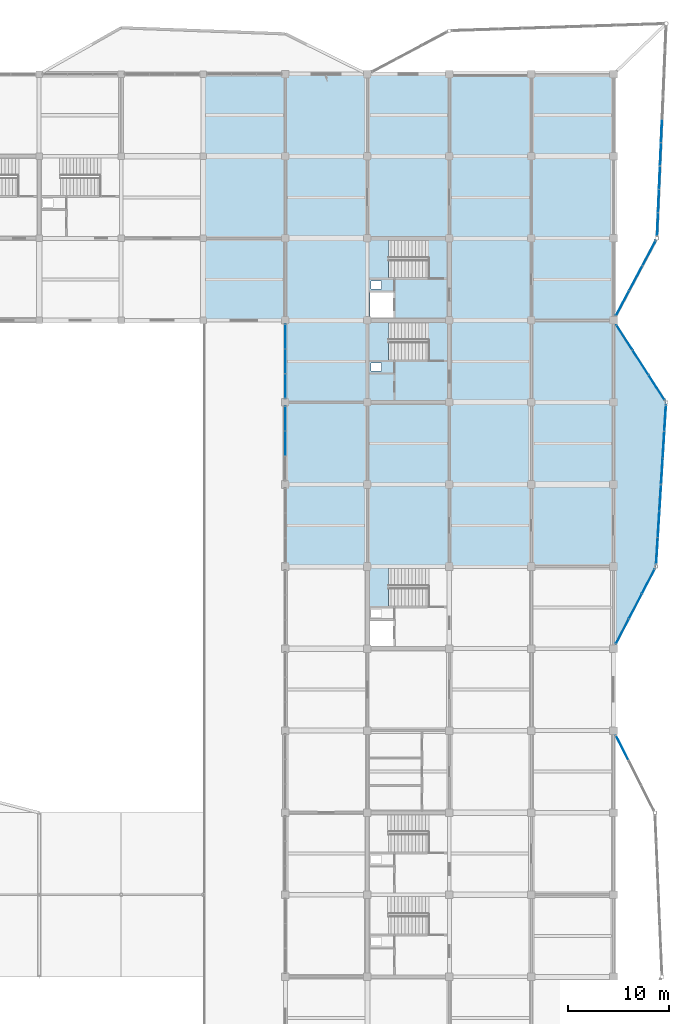
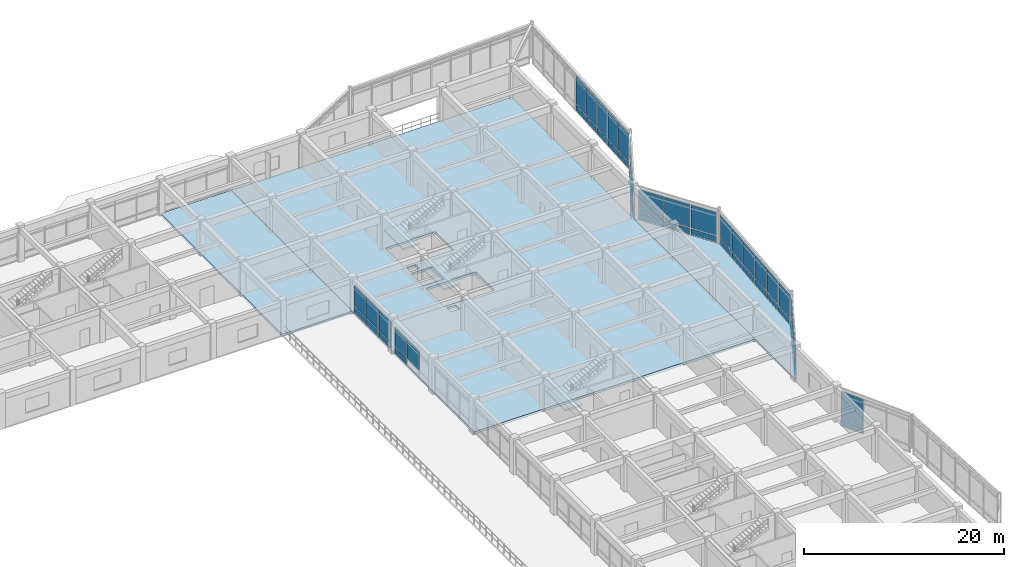
# One storey, part 42 of 70: 51 plates, 6 slabs, 13 elements without a shape of their own.
"""IFC4 building model written with IfcOpenShell, lengths in metres."""

from ifc_helpers import new_model, si_unit, direction, frame, origin, origin_2d, place, context, subcontext, project, spatial, polyline, rectangle, outline, extrude, material, layer, layer_set, type_object, element, aggregate, save


model = new_model("IFC4")

# Units and contexts
model_context = context("Model", 3, precision=1e-05, world=origin(), true_north=direction((0.0, 1.0)))
body_context = subcontext(model_context, "Body", "Model", "MODEL_VIEW")
ifc_project = project(units=[si_unit("LENGTHUNIT", "METRE"), si_unit("AREAUNIT", "SQUARE_METRE"), si_unit("VOLUMEUNIT", "CUBIC_METRE"), si_unit("PLANEANGLEUNIT", "RADIAN"), si_unit("MASSUNIT", "GRAM", prefix="KILO")], contexts=[model_context])

# Site, building, storey
site_placement = place(None, origin())
site = spatial("IfcSite", under=ifc_project, at=site_placement, CompositionType="ELEMENT")
building_placement = place(site_placement, origin())
building = spatial("IfcBuilding", under=site, at=building_placement, Name="Vaudrelin Polytechnic", CompositionType="ELEMENT")
storey_placement = place(building_placement, frame((0.0, 0.0, 14.110107421875)))
storey = spatial("IfcBuildingStorey", under=building, at=storey_placement, Name="L03", CompositionType="ELEMENT", Elevation=14.110107421875)

# Curtain wall, plate
ifc_material_1 = material(Name="Thermally broken anodised aluminium AA 6063-T6 and low-e triple glazing", Category="aluminium")
ifc_layer_1 = layer(ifc_material_1, 0.199951171875)
ifc_layer_set_1 = layer_set([ifc_layer_1], Name="Thermally broken anodised aluminium AA 6063-T6 and low-e triple glazing")
curtain_wall_type = type_object("IfcCurtainWallType", Name="CW-CW-LAB", PredefinedType="USERDEFINED", material=ifc_layer_set_1)
curtain_wall_1_placement = place(storey_placement, origin())
curtain_wall_1 = element("IfcCurtainWall", 1, at=curtain_wall_1_placement, inside=storey, type_object=curtain_wall_type, Name="Curtain wall L03 W_V4_08", ObjectType="CURTAIN WALL", PredefinedType="USERDEFINED")
ifc_material_2 = material(Name="Insulated ceramic-frit spandrel glass panel", Category="glass")
ifc_layer_2 = layer(ifc_material_2, 0.052001953125)
ifc_layer_set_2 = layer_set([ifc_layer_2], Name="Insulated ceramic-frit spandrel glass panel")
plate_type_1 = type_object("IfcPlateType", Name="PLT-GLZ-SPAND", PredefinedType="CURTAIN_PANEL", material=ifc_layer_set_2)
plate_1_placement = place(storey_placement, frame((137.699951171875, 87.501220703125, 0.08984375), z_axis=(0.0, 0.0, 1.0), x_axis=(0.0, 1.0, 0.0)))
plate_1 = element("IfcPlate", 2, at=plate_1_placement, type_object=plate_type_1, Name="W_V4_08 spandrel panel 3", PredefinedType="CURTAIN_PANEL", context=body_context, shape_type="SweptSolid", body=[
    extrude(rectangle(XDim=2.351318359375, YDim=0.052001953125, at=origin_2d()), origin(), (0.0, 0.0, 1.0), 0.699951171875),
])

# Curtain wall, plates
curtain_wall_2_placement = place(storey_placement, origin())
curtain_wall_2 = element("IfcCurtainWall", 3, at=curtain_wall_2_placement, inside=storey, type_object=curtain_wall_type, Name="Curtain wall L03 W_V4_09", ObjectType="CURTAIN WALL", PredefinedType="USERDEFINED")
plate_2_placement = place(storey_placement, frame((137.699951171875, 90.69873046875, 0.08984375), z_axis=(0.0, 0.0, 1.0), x_axis=(0.0, 1.0, 0.0)))
plate_2 = element("IfcPlate", 4, at=plate_2_placement, type_object=plate_type_1, Name="W_V4_09 spandrel panel 1", PredefinedType="CURTAIN_PANEL", context=body_context, shape_type="SweptSolid", body=[
    extrude(rectangle(XDim=2.351318359375, YDim=0.052001953125, at=origin_2d()), origin(), (0.0, 0.0, 1.0), 0.699951171875),
])
plate_3_placement = place(storey_placement, frame((137.699951171875, 93.14990234375, 0.08984375), z_axis=(0.0, 0.0, 1.0), x_axis=(0.0, 1.0, 0.0)))
plate_3 = element("IfcPlate", 5, at=plate_3_placement, type_object=plate_type_1, Name="W_V4_09 spandrel panel 2", PredefinedType="CURTAIN_PANEL", context=body_context, shape_type="SweptSolid", body=[
    extrude(rectangle(XDim=2.351318359375, YDim=0.052001953125, at=origin_2d()), origin(), (0.0, 0.0, 1.0), 0.699951171875),
])
plate_4_placement = place(storey_placement, frame((137.699951171875, 95.601318359375, 0.08984375), z_axis=(0.0, 0.0, 1.0), x_axis=(0.0, 1.0, 0.0)))
plate_4 = element("IfcPlate", 6, at=plate_4_placement, type_object=plate_type_1, Name="W_V4_09 spandrel panel 3", PredefinedType="CURTAIN_PANEL", context=body_context, shape_type="SweptSolid", body=[
    extrude(rectangle(XDim=2.351318359375, YDim=0.052001953125, at=origin_2d()), origin(), (0.0, 0.0, 1.0), 0.699951171875),
])

curtain_wall_3_placement = place(storey_placement, origin())
curtain_wall_3 = element("IfcCurtainWall", 7, at=curtain_wall_3_placement, inside=storey, type_object=curtain_wall_type, Name="Curtain wall L03 NEP_3_1", ObjectType="CURTAIN WALL", PredefinedType="USERDEFINED")
plate_5_placement = place(storey_placement, frame((174.84912109375, 115.874755859375, -0.5400390625), z_axis=(0.0, 0.0, 1.0), x_axis=(-0.042405411318, -0.999100485983, 0.0)))
plate_5 = element("IfcPlate", 8, at=plate_5_placement, type_object=plate_type_1, Name="NEP_3_1 spandrel panel 2", PredefinedType="CURTAIN_PANEL", context=body_context, shape_type="SweptSolid", body=[
    extrude(rectangle(XDim=2.19921875, YDim=0.052001953125, at=origin_2d()), origin(), (0.0, 0.0, 1.0), 0.699951171875),
])
plate_6_placement = place(storey_placement, frame((174.75146484375, 113.577392578125, -0.5400390625), z_axis=(0.0, 0.0, 1.0), x_axis=(-0.042405411318, -0.999100485983, 0.0)))
plate_6 = element("IfcPlate", 9, at=plate_6_placement, type_object=plate_type_1, Name="NEP_3_1 spandrel panel 3", PredefinedType="CURTAIN_PANEL", context=body_context, shape_type="SweptSolid", body=[
    extrude(rectangle(XDim=2.19921875, YDim=0.052001953125, at=origin_2d()), origin(), (0.0, 0.0, 1.0), 0.699951171875),
])

curtain_wall_4_placement = place(storey_placement, origin())
curtain_wall_4 = element("IfcCurtainWall", 10, at=curtain_wall_4_placement, inside=storey, type_object=curtain_wall_type, Name="Curtain wall L03 NEP_3_2", ObjectType="CURTAIN WALL", PredefinedType="USERDEFINED")
plate_7_placement = place(storey_placement, frame((174.65380859375, 111.2802734375, -0.5400390625), z_axis=(0.0, 0.0, 1.0), x_axis=(-0.042419882824, -0.999099871655, 0.0)))
plate_7 = element("IfcPlate", 11, at=plate_7_placement, type_object=plate_type_1, Name="NEP_3_2 spandrel panel 1", PredefinedType="CURTAIN_PANEL", context=body_context, shape_type="SweptSolid", body=[
    extrude(rectangle(XDim=2.19921875, YDim=0.052001953125, at=origin_2d()), origin(), (0.0, 0.0, 1.0), 0.699951171875),
])
plate_8_placement = place(storey_placement, frame((174.556396484375, 108.983154296875, -0.5400390625), z_axis=(0.0, 0.0, 1.0), x_axis=(-0.042419882824, -0.999099871655, 0.0)))
plate_8 = element("IfcPlate", 12, at=plate_8_placement, type_object=plate_type_1, Name="NEP_3_2 spandrel panel 2", PredefinedType="CURTAIN_PANEL", context=body_context, shape_type="SweptSolid", body=[
    extrude(rectangle(XDim=2.19921875, YDim=0.052001953125, at=origin_2d()), origin(), (0.0, 0.0, 1.0), 0.699951171875),
])
plate_9_placement = place(storey_placement, frame((174.458984375, 106.68603515625, -0.5400390625), z_axis=(0.0, 0.0, 1.0), x_axis=(-0.042419882824, -0.999099871655, 0.0)))
plate_9 = element("IfcPlate", 13, at=plate_9_placement, type_object=plate_type_1, Name="NEP_3_2 spandrel panel 3", PredefinedType="CURTAIN_PANEL", context=body_context, shape_type="SweptSolid", body=[
    extrude(rectangle(XDim=2.19921875, YDim=0.052001953125, at=origin_2d()), origin(), (0.0, 0.0, 1.0), 0.699951171875),
])

curtain_wall_5_placement = place(storey_placement, origin())
curtain_wall_5 = element("IfcCurtainWall", 14, at=curtain_wall_5_placement, inside=storey, type_object=curtain_wall_type, Name="Curtain wall L03 NEP_4_0", ObjectType="CURTAIN WALL", PredefinedType="USERDEFINED")
plate_10_placement = place(storey_placement, frame((173.62255859375, 103.83544921875, -0.5400390625), z_axis=(0.0, 0.0, 1.0), x_axis=(-0.468895635288, -0.88325357809, 0.0)))
plate_10 = element("IfcPlate", 15, at=plate_10_placement, type_object=plate_type_1, Name="NEP_4_0 spandrel panel 1", PredefinedType="CURTAIN_PANEL", context=body_context, shape_type="SweptSolid", body=[
    extrude(rectangle(XDim=2.701171875, YDim=0.052001953125, at=origin_2d()), origin(), (0.0, 0.0, 1.0), 0.699951171875),
])
plate_11_placement = place(storey_placement, frame((172.30908203125, 101.361083984375, -0.5400390625), z_axis=(0.0, 0.0, 1.0), x_axis=(-0.468895635288, -0.88325357809, 0.0)))
plate_11 = element("IfcPlate", 16, at=plate_11_placement, type_object=plate_type_1, Name="NEP_4_0 spandrel panel 2", PredefinedType="CURTAIN_PANEL", context=body_context, shape_type="SweptSolid", body=[
    extrude(rectangle(XDim=2.701171875, YDim=0.052001953125, at=origin_2d()), origin(), (0.0, 0.0, 1.0), 0.699951171875),
])
plate_12_placement = place(storey_placement, frame((170.99560546875, 98.88720703125, -0.5400390625), z_axis=(0.0, 0.0, 1.0), x_axis=(-0.468895635288, -0.88325357809, 0.0)))
plate_12 = element("IfcPlate", 17, at=plate_12_placement, type_object=plate_type_1, Name="NEP_4_0 spandrel panel 3", PredefinedType="CURTAIN_PANEL", context=body_context, shape_type="SweptSolid", body=[
    extrude(rectangle(XDim=2.701171875, YDim=0.052001953125, at=origin_2d()), origin(), (0.0, 0.0, 1.0), 0.699951171875),
])

# Curtain wall, plate
curtain_wall_6_placement = place(storey_placement, origin())
curtain_wall_6 = element("IfcCurtainWall", 18, at=curtain_wall_6_placement, inside=storey, type_object=curtain_wall_type, Name="Curtain wall L03 E_OR1_3_0", ObjectType="CURTAIN WALL", PredefinedType="USERDEFINED")
plate_13_placement = place(storey_placement, frame((170.9541015625, 55.012451171875, -0.5400390625), z_axis=(0.0, 0.0, 1.0), x_axis=(-0.451608607789, 0.892216153951, 0.0)))
plate_13 = element("IfcPlate", 19, at=plate_13_placement, type_object=plate_type_1, Name="E_OR1_3_0 spandrel panel 3", PredefinedType="CURTAIN_PANEL", context=body_context, shape_type="SweptSolid", body=[
    extrude(rectangle(XDim=2.672607421875, YDim=0.052001953125, at=origin_2d()), origin(), (0.0, 0.0, 1.0), 0.699951171875),
])

# Curtain wall, plates
curtain_wall_7_placement = place(storey_placement, origin())
curtain_wall_7 = element("IfcCurtainWall", 20, at=curtain_wall_7_placement, inside=storey, type_object=curtain_wall_type, Name="Curtain wall L03 E_OR2_1_0", ObjectType="CURTAIN WALL", PredefinedType="USERDEFINED")
plate_14_placement = place(storey_placement, frame((170.97509765625, 66.4873046875, 0.08984375), z_axis=(0.0, 0.0, 1.0), x_axis=(0.460318561093, 0.887753807265, 0.0)))
plate_14 = element("IfcPlate", 21, at=plate_14_placement, type_object=plate_type_1, Name="E_OR2_1_0 spandrel panel 1", PredefinedType="CURTAIN_PANEL", context=body_context, shape_type="SweptSolid", body=[
    extrude(rectangle(XDim=2.6865234375, YDim=0.052001953125, at=origin_2d()), origin(), (0.0, 0.0, 1.0), 0.699951171875),
])
plate_15_placement = place(storey_placement, frame((172.2578125, 68.961181640625, 0.08984375), z_axis=(0.0, 0.0, 1.0), x_axis=(0.460318561093, 0.887753807265, 0.0)))
plate_15 = element("IfcPlate", 22, at=plate_15_placement, type_object=plate_type_1, Name="E_OR2_1_0 spandrel panel 2", PredefinedType="CURTAIN_PANEL", context=body_context, shape_type="SweptSolid", body=[
    extrude(rectangle(XDim=2.6865234375, YDim=0.052001953125, at=origin_2d()), origin(), (0.0, 0.0, 1.0), 0.699951171875),
])
plate_16_placement = place(storey_placement, frame((173.540283203125, 71.43505859375, 0.08984375), z_axis=(0.0, 0.0, 1.0), x_axis=(0.460318561093, 0.887753807265, 0.0)))
plate_16 = element("IfcPlate", 23, at=plate_16_placement, type_object=plate_type_1, Name="E_OR2_1_0 spandrel panel 3", PredefinedType="CURTAIN_PANEL", context=body_context, shape_type="SweptSolid", body=[
    extrude(rectangle(XDim=2.6865234375, YDim=0.052001953125, at=origin_2d()), origin(), (0.0, 0.0, 1.0), 0.699951171875),
])

curtain_wall_8_placement = place(storey_placement, origin())
curtain_wall_8 = element("IfcCurtainWall", 24, at=curtain_wall_8_placement, inside=storey, type_object=curtain_wall_type, Name="Curtain wall L03 E_OR2_2_0", ObjectType="CURTAIN WALL", PredefinedType="USERDEFINED")
plate_17_placement = place(storey_placement, frame((174.3955078125, 74.44775390625, 0.08984375), z_axis=(0.0, 0.0, 1.0), x_axis=(0.061604568165, 0.998100634797, 0.0)))
plate_17 = element("IfcPlate", 25, at=plate_17_placement, type_object=plate_type_1, Name="E_OR2_2_0 spandrel panel 1", PredefinedType="CURTAIN_PANEL", context=body_context, shape_type="SweptSolid", body=[
    extrude(rectangle(XDim=2.52587890625, YDim=0.052001953125, at=origin_2d()), origin(), (0.0, 0.0, 1.0), 0.699951171875),
])
plate_18_placement = place(storey_placement, frame((174.557373046875, 77.068603515625, 0.08984375), z_axis=(0.0, 0.0, 1.0), x_axis=(0.061604568165, 0.998100634797, 0.0)))
plate_18 = element("IfcPlate", 26, at=plate_18_placement, type_object=plate_type_1, Name="E_OR2_2_0 spandrel panel 2", PredefinedType="CURTAIN_PANEL", context=body_context, shape_type="SweptSolid", body=[
    extrude(rectangle(XDim=2.52587890625, YDim=0.052001953125, at=origin_2d()), origin(), (0.0, 0.0, 1.0), 0.699951171875),
])
plate_19_placement = place(storey_placement, frame((174.718994140625, 79.689453125, 0.08984375), z_axis=(0.0, 0.0, 1.0), x_axis=(0.061604568165, 0.998100634797, 0.0)))
plate_19 = element("IfcPlate", 27, at=plate_19_placement, type_object=plate_type_1, Name="E_OR2_2_0 spandrel panel 3", PredefinedType="CURTAIN_PANEL", context=body_context, shape_type="SweptSolid", body=[
    extrude(rectangle(XDim=2.52587890625, YDim=0.052001953125, at=origin_2d()), origin(), (0.0, 0.0, 1.0), 0.699951171875),
])

curtain_wall_9_placement = place(storey_placement, origin())
curtain_wall_9 = element("IfcCurtainWall", 28, at=curtain_wall_9_placement, inside=storey, type_object=curtain_wall_type, Name="Curtain wall L03 E_OR2_2_1", ObjectType="CURTAIN WALL", PredefinedType="USERDEFINED")
plate_20_placement = place(storey_placement, frame((174.880859375, 82.310546875, 0.08984375), z_axis=(0.0, 0.0, 1.0), x_axis=(0.061604568165, 0.998100634797, 0.0)))
plate_20 = element("IfcPlate", 29, at=plate_20_placement, type_object=plate_type_1, Name="E_OR2_2_1 spandrel panel 1", PredefinedType="CURTAIN_PANEL", context=body_context, shape_type="SweptSolid", body=[
    extrude(rectangle(XDim=2.52587890625, YDim=0.052001953125, at=origin_2d()), origin(), (0.0, 0.0, 1.0), 0.699951171875),
])
plate_21_placement = place(storey_placement, frame((175.042724609375, 84.931396484375, 0.08984375), z_axis=(0.0, 0.0, 1.0), x_axis=(0.061604568165, 0.998100634797, 0.0)))
plate_21 = element("IfcPlate", 30, at=plate_21_placement, type_object=plate_type_1, Name="E_OR2_2_1 spandrel panel 2", PredefinedType="CURTAIN_PANEL", context=body_context, shape_type="SweptSolid", body=[
    extrude(rectangle(XDim=2.52587890625, YDim=0.052001953125, at=origin_2d()), origin(), (0.0, 0.0, 1.0), 0.699951171875),
])
plate_22_placement = place(storey_placement, frame((175.204345703125, 87.55224609375, 0.08984375), z_axis=(0.0, 0.0, 1.0), x_axis=(0.061604568165, 0.998100634797, 0.0)))
plate_22 = element("IfcPlate", 31, at=plate_22_placement, type_object=plate_type_1, Name="E_OR2_2_1 spandrel panel 3", PredefinedType="CURTAIN_PANEL", context=body_context, shape_type="SweptSolid", body=[
    extrude(rectangle(XDim=2.52587890625, YDim=0.052001953125, at=origin_2d()), origin(), (0.0, 0.0, 1.0), 0.699951171875),
])

curtain_wall_10_placement = place(storey_placement, origin())
curtain_wall_10 = element("IfcCurtainWall", 32, at=curtain_wall_10_placement, inside=storey, type_object=curtain_wall_type, Name="Curtain wall L03 E_OR2_3_0", ObjectType="CURTAIN WALL", PredefinedType="USERDEFINED")
plate_23_placement = place(storey_placement, frame((174.361328125, 90.562255859375, 0.08984375), z_axis=(0.0, 0.0, 1.0), x_axis=(-0.54022794974, 0.841518723689, 0.0)))
plate_23 = element("IfcPlate", 33, at=plate_23_placement, type_object=plate_type_1, Name="E_OR2_3_0 spandrel panel 1", PredefinedType="CURTAIN_PANEL", context=body_context, shape_type="SweptSolid", body=[
    extrude(rectangle(XDim=2.843017578125, YDim=0.052001953125, at=origin_2d()), origin(), (0.0, 0.0, 1.0), 0.699951171875),
])
plate_24_placement = place(storey_placement, frame((172.771484375, 93.038818359375, 0.08984375), z_axis=(0.0, 0.0, 1.0), x_axis=(-0.54022794974, 0.841518723689, 0.0)))
plate_24 = element("IfcPlate", 34, at=plate_24_placement, type_object=plate_type_1, Name="E_OR2_3_0 spandrel panel 2", PredefinedType="CURTAIN_PANEL", context=body_context, shape_type="SweptSolid", body=[
    extrude(rectangle(XDim=2.843017578125, YDim=0.052001953125, at=origin_2d()), origin(), (0.0, 0.0, 1.0), 0.699951171875),
])
plate_25_placement = place(storey_placement, frame((171.181640625, 95.515380859375, 0.08984375), z_axis=(0.0, 0.0, 1.0), x_axis=(-0.54022794974, 0.841518723689, 0.0)))
plate_25 = element("IfcPlate", 35, at=plate_25_placement, type_object=plate_type_1, Name="E_OR2_3_0 spandrel panel 3", PredefinedType="CURTAIN_PANEL", context=body_context, shape_type="SweptSolid", body=[
    extrude(rectangle(XDim=2.843017578125, YDim=0.052001953125, at=origin_2d()), origin(), (0.0, 0.0, 1.0), 0.699951171875),
])

# Plate
ifc_material_3 = material(Name="Triple low-e argon insulated glazing unit", Category="glass")
ifc_layer_3 = layer(ifc_material_3, 0.0439453125)
ifc_layer_set_3 = layer_set([ifc_layer_3], Name="Triple low-e argon insulated glazing unit")
plate_type_2 = type_object("IfcPlateType", Name="PLT-GLZ-TRIPLE", PredefinedType="CURTAIN_PANEL", material=ifc_layer_set_3)
plate_26_placement = place(storey_placement, frame((137.699951171875, 85.050048828125, 0.89990234375), z_axis=(0.0, 0.0, 1.0), x_axis=(0.0, 1.0, 0.0)))
plate_26 = element("IfcPlate", 36, at=plate_26_placement, type_object=plate_type_2, Name="W_V4_08 vision panel 2", PredefinedType="CURTAIN_PANEL", context=body_context, shape_type="SweptSolid", body=[
    extrude(rectangle(XDim=2.351318359375, YDim=0.0439453125, at=origin_2d()), origin(), (0.0, 0.0, 1.0), 2.31201171875),
])

plate_27_placement = place(storey_placement, frame((137.699951171875, 87.501220703125, 0.89990234375), z_axis=(0.0, 0.0, 1.0), x_axis=(0.0, 1.0, 0.0)))
plate_27 = element("IfcPlate", 37, at=plate_27_placement, type_object=plate_type_2, Name="W_V4_08 vision panel 3", PredefinedType="CURTAIN_PANEL", context=body_context, shape_type="SweptSolid", body=[
    extrude(rectangle(XDim=2.351318359375, YDim=0.0439453125, at=origin_2d()), origin(), (0.0, 0.0, 1.0), 2.31201171875),
])

aggregate(curtain_wall_1, [plate_26, plate_1, plate_27])

plate_28_placement = place(storey_placement, frame((137.699951171875, 90.69873046875, 0.89990234375), z_axis=(0.0, 0.0, 1.0), x_axis=(0.0, 1.0, 0.0)))
plate_28 = element("IfcPlate", 38, at=plate_28_placement, type_object=plate_type_2, Name="W_V4_09 vision panel 1", PredefinedType="CURTAIN_PANEL", context=body_context, shape_type="SweptSolid", body=[
    extrude(rectangle(XDim=2.351318359375, YDim=0.0439453125, at=origin_2d()), origin(), (0.0, 0.0, 1.0), 2.511962890625),
])

plate_29_placement = place(storey_placement, frame((137.699951171875, 93.14990234375, 0.89990234375), z_axis=(0.0, 0.0, 1.0), x_axis=(0.0, 1.0, 0.0)))
plate_29 = element("IfcPlate", 39, at=plate_29_placement, type_object=plate_type_2, Name="W_V4_09 vision panel 2", PredefinedType="CURTAIN_PANEL", context=body_context, shape_type="SweptSolid", body=[
    extrude(rectangle(XDim=2.351318359375, YDim=0.0439453125, at=origin_2d()), origin(), (0.0, 0.0, 1.0), 2.511962890625),
])

plate_30_placement = place(storey_placement, frame((137.699951171875, 95.601318359375, 0.89990234375), z_axis=(0.0, 0.0, 1.0), x_axis=(0.0, 1.0, 0.0)))
plate_30 = element("IfcPlate", 40, at=plate_30_placement, type_object=plate_type_2, Name="W_V4_09 vision panel 3", PredefinedType="CURTAIN_PANEL", context=body_context, shape_type="SweptSolid", body=[
    extrude(rectangle(XDim=2.351318359375, YDim=0.0439453125, at=origin_2d()), origin(), (0.0, 0.0, 1.0), 2.511962890625),
])

aggregate(curtain_wall_2, [plate_2, plate_28, plate_3, plate_29, plate_4, plate_30])

plate_31_placement = place(storey_placement, frame((174.84912109375, 115.874755859375, 0.27001953125), z_axis=(0.0, 0.0, 1.0), x_axis=(-0.042405411318, -0.999100485983, 0.0)))
plate_31 = element("IfcPlate", 41, at=plate_31_placement, type_object=plate_type_2, Name="NEP_3_1 vision panel 2", PredefinedType="CURTAIN_PANEL", context=body_context, shape_type="SweptSolid", body=[
    extrude(rectangle(XDim=2.19921875, YDim=0.0439453125, at=origin_2d()), origin(), (0.0, 0.0, 1.0), 3.43994140625),
])

plate_32_placement = place(storey_placement, frame((174.75146484375, 113.577392578125, 0.27001953125), z_axis=(0.0, 0.0, 1.0), x_axis=(-0.042405411318, -0.999100485983, 0.0)))
plate_32 = element("IfcPlate", 42, at=plate_32_placement, type_object=plate_type_2, Name="NEP_3_1 vision panel 3", PredefinedType="CURTAIN_PANEL", context=body_context, shape_type="SweptSolid", body=[
    extrude(rectangle(XDim=2.19921875, YDim=0.0439453125, at=origin_2d()), origin(), (0.0, 0.0, 1.0), 3.43994140625),
])

aggregate(curtain_wall_3, [plate_5, plate_31, plate_6, plate_32])

plate_33_placement = place(storey_placement, frame((174.65380859375, 111.2802734375, 0.27001953125), z_axis=(0.0, 0.0, 1.0), x_axis=(-0.042419882824, -0.999099871655, 0.0)))
plate_33 = element("IfcPlate", 43, at=plate_33_placement, type_object=plate_type_2, Name="NEP_3_2 vision panel 1", PredefinedType="CURTAIN_PANEL", context=body_context, shape_type="SweptSolid", body=[
    extrude(rectangle(XDim=2.19921875, YDim=0.0439453125, at=origin_2d()), origin(), (0.0, 0.0, 1.0), 3.43994140625),
])

plate_34_placement = place(storey_placement, frame((174.556396484375, 108.983154296875, 0.27001953125), z_axis=(0.0, 0.0, 1.0), x_axis=(-0.042419882824, -0.999099871655, 0.0)))
plate_34 = element("IfcPlate", 44, at=plate_34_placement, type_object=plate_type_2, Name="NEP_3_2 vision panel 2", PredefinedType="CURTAIN_PANEL", context=body_context, shape_type="SweptSolid", body=[
    extrude(rectangle(XDim=2.19921875, YDim=0.0439453125, at=origin_2d()), origin(), (0.0, 0.0, 1.0), 3.43994140625),
])

plate_35_placement = place(storey_placement, frame((174.458984375, 106.68603515625, 0.27001953125), z_axis=(0.0, 0.0, 1.0), x_axis=(-0.042419882824, -0.999099871655, 0.0)))
plate_35 = element("IfcPlate", 45, at=plate_35_placement, type_object=plate_type_2, Name="NEP_3_2 vision panel 3", PredefinedType="CURTAIN_PANEL", context=body_context, shape_type="SweptSolid", body=[
    extrude(rectangle(XDim=2.19921875, YDim=0.0439453125, at=origin_2d()), origin(), (0.0, 0.0, 1.0), 3.43994140625),
])

aggregate(curtain_wall_4, [plate_7, plate_33, plate_8, plate_34, plate_9, plate_35])

plate_36_placement = place(storey_placement, frame((173.62255859375, 103.83544921875, 0.27001953125), z_axis=(0.0, 0.0, 1.0), x_axis=(-0.468895635288, -0.88325357809, 0.0)))
plate_36 = element("IfcPlate", 46, at=plate_36_placement, type_object=plate_type_2, Name="NEP_4_0 vision panel 1", PredefinedType="CURTAIN_PANEL", context=body_context, shape_type="SweptSolid", body=[
    extrude(rectangle(XDim=2.701171875, YDim=0.0439453125, at=origin_2d()), origin(), (0.0, 0.0, 1.0), 3.43994140625),
])

plate_37_placement = place(storey_placement, frame((172.30908203125, 101.361083984375, 0.27001953125), z_axis=(0.0, 0.0, 1.0), x_axis=(-0.468895635288, -0.88325357809, 0.0)))
plate_37 = element("IfcPlate", 47, at=plate_37_placement, type_object=plate_type_2, Name="NEP_4_0 vision panel 2", PredefinedType="CURTAIN_PANEL", context=body_context, shape_type="SweptSolid", body=[
    extrude(rectangle(XDim=2.701171875, YDim=0.0439453125, at=origin_2d()), origin(), (0.0, 0.0, 1.0), 3.43994140625),
])

plate_38_placement = place(storey_placement, frame((170.99560546875, 98.88720703125, 0.27001953125), z_axis=(0.0, 0.0, 1.0), x_axis=(-0.468895635288, -0.88325357809, 0.0)))
plate_38 = element("IfcPlate", 48, at=plate_38_placement, type_object=plate_type_2, Name="NEP_4_0 vision panel 3", PredefinedType="CURTAIN_PANEL", context=body_context, shape_type="SweptSolid", body=[
    extrude(rectangle(XDim=2.701171875, YDim=0.0439453125, at=origin_2d()), origin(), (0.0, 0.0, 1.0), 3.43994140625),
])

aggregate(curtain_wall_5, [plate_10, plate_36, plate_11, plate_37, plate_12, plate_38])

plate_39_placement = place(storey_placement, frame((170.9541015625, 55.012451171875, 0.27001953125), z_axis=(0.0, 0.0, 1.0), x_axis=(-0.451608607789, 0.892216153951, 0.0)))
plate_39 = element("IfcPlate", 49, at=plate_39_placement, type_object=plate_type_2, Name="E_OR1_3_0 vision panel 3", PredefinedType="CURTAIN_PANEL", context=body_context, shape_type="SweptSolid", body=[
    extrude(rectangle(XDim=2.672607421875, YDim=0.0439453125, at=origin_2d()), origin(), (0.0, 0.0, 1.0), 3.43994140625),
])

aggregate(curtain_wall_6, [plate_13, plate_39])

plate_40_placement = place(storey_placement, frame((170.97509765625, 66.4873046875, 0.89990234375), z_axis=(0.0, 0.0, 1.0), x_axis=(0.460318561093, 0.887753807265, 0.0)))
plate_40 = element("IfcPlate", 50, at=plate_40_placement, type_object=plate_type_2, Name="E_OR2_1_0 vision panel 1", PredefinedType="CURTAIN_PANEL", context=body_context, shape_type="SweptSolid", body=[
    extrude(rectangle(XDim=2.6865234375, YDim=0.0439453125, at=origin_2d()), origin(), (0.0, 0.0, 1.0), 2.81005859375),
])

plate_41_placement = place(storey_placement, frame((172.2578125, 68.961181640625, 0.89990234375), z_axis=(0.0, 0.0, 1.0), x_axis=(0.460318561093, 0.887753807265, 0.0)))
plate_41 = element("IfcPlate", 51, at=plate_41_placement, type_object=plate_type_2, Name="E_OR2_1_0 vision panel 2", PredefinedType="CURTAIN_PANEL", context=body_context, shape_type="SweptSolid", body=[
    extrude(rectangle(XDim=2.6865234375, YDim=0.0439453125, at=origin_2d()), origin(), (0.0, 0.0, 1.0), 2.81005859375),
])

plate_42_placement = place(storey_placement, frame((173.540283203125, 71.43505859375, 0.89990234375), z_axis=(0.0, 0.0, 1.0), x_axis=(0.460318561093, 0.887753807265, 0.0)))
plate_42 = element("IfcPlate", 52, at=plate_42_placement, type_object=plate_type_2, Name="E_OR2_1_0 vision panel 3", PredefinedType="CURTAIN_PANEL", context=body_context, shape_type="SweptSolid", body=[
    extrude(rectangle(XDim=2.6865234375, YDim=0.0439453125, at=origin_2d()), origin(), (0.0, 0.0, 1.0), 2.81005859375),
])

aggregate(curtain_wall_7, [plate_14, plate_40, plate_15, plate_41, plate_16, plate_42])

plate_43_placement = place(storey_placement, frame((174.3955078125, 74.44775390625, 0.89990234375), z_axis=(0.0, 0.0, 1.0), x_axis=(0.061604568165, 0.998100634797, 0.0)))
plate_43 = element("IfcPlate", 53, at=plate_43_placement, type_object=plate_type_2, Name="E_OR2_2_0 vision panel 1", PredefinedType="CURTAIN_PANEL", context=body_context, shape_type="SweptSolid", body=[
    extrude(rectangle(XDim=2.52587890625, YDim=0.0439453125, at=origin_2d()), origin(), (0.0, 0.0, 1.0), 2.81005859375),
])

plate_44_placement = place(storey_placement, frame((174.557373046875, 77.068603515625, 0.89990234375), z_axis=(0.0, 0.0, 1.0), x_axis=(0.061604568165, 0.998100634797, 0.0)))
plate_44 = element("IfcPlate", 54, at=plate_44_placement, type_object=plate_type_2, Name="E_OR2_2_0 vision panel 2", PredefinedType="CURTAIN_PANEL", context=body_context, shape_type="SweptSolid", body=[
    extrude(rectangle(XDim=2.52587890625, YDim=0.0439453125, at=origin_2d()), origin(), (0.0, 0.0, 1.0), 2.81005859375),
])

plate_45_placement = place(storey_placement, frame((174.718994140625, 79.689453125, 0.89990234375), z_axis=(0.0, 0.0, 1.0), x_axis=(0.061604568165, 0.998100634797, 0.0)))
plate_45 = element("IfcPlate", 55, at=plate_45_placement, type_object=plate_type_2, Name="E_OR2_2_0 vision panel 3", PredefinedType="CURTAIN_PANEL", context=body_context, shape_type="SweptSolid", body=[
    extrude(rectangle(XDim=2.52587890625, YDim=0.0439453125, at=origin_2d()), origin(), (0.0, 0.0, 1.0), 2.81005859375),
])

aggregate(curtain_wall_8, [plate_17, plate_43, plate_18, plate_44, plate_19, plate_45])

plate_46_placement = place(storey_placement, frame((174.880859375, 82.310546875, 0.89990234375), z_axis=(0.0, 0.0, 1.0), x_axis=(0.061604568165, 0.998100634797, 0.0)))
plate_46 = element("IfcPlate", 56, at=plate_46_placement, type_object=plate_type_2, Name="E_OR2_2_1 vision panel 1", PredefinedType="CURTAIN_PANEL", context=body_context, shape_type="SweptSolid", body=[
    extrude(rectangle(XDim=2.52587890625, YDim=0.0439453125, at=origin_2d()), origin(), (0.0, 0.0, 1.0), 2.81005859375),
])

plate_47_placement = place(storey_placement, frame((175.042724609375, 84.931396484375, 0.89990234375), z_axis=(0.0, 0.0, 1.0), x_axis=(0.061604568165, 0.998100634797, 0.0)))
plate_47 = element("IfcPlate", 57, at=plate_47_placement, type_object=plate_type_2, Name="E_OR2_2_1 vision panel 2", PredefinedType="CURTAIN_PANEL", context=body_context, shape_type="SweptSolid", body=[
    extrude(rectangle(XDim=2.52587890625, YDim=0.0439453125, at=origin_2d()), origin(), (0.0, 0.0, 1.0), 2.81005859375),
])

plate_48_placement = place(storey_placement, frame((175.204345703125, 87.55224609375, 0.89990234375), z_axis=(0.0, 0.0, 1.0), x_axis=(0.061604568165, 0.998100634797, 0.0)))
plate_48 = element("IfcPlate", 58, at=plate_48_placement, type_object=plate_type_2, Name="E_OR2_2_1 vision panel 3", PredefinedType="CURTAIN_PANEL", context=body_context, shape_type="SweptSolid", body=[
    extrude(rectangle(XDim=2.52587890625, YDim=0.0439453125, at=origin_2d()), origin(), (0.0, 0.0, 1.0), 2.81005859375),
])

aggregate(curtain_wall_9, [plate_20, plate_46, plate_21, plate_47, plate_22, plate_48])

plate_49_placement = place(storey_placement, frame((174.361328125, 90.562255859375, 0.89990234375), z_axis=(0.0, 0.0, 1.0), x_axis=(-0.54022794974, 0.841518723689, 0.0)))
plate_49 = element("IfcPlate", 59, at=plate_49_placement, type_object=plate_type_2, Name="E_OR2_3_0 vision panel 1", PredefinedType="CURTAIN_PANEL", context=body_context, shape_type="SweptSolid", body=[
    extrude(rectangle(XDim=2.843017578125, YDim=0.0439453125, at=origin_2d()), origin(), (0.0, 0.0, 1.0), 2.81005859375),
])

plate_50_placement = place(storey_placement, frame((172.771484375, 93.038818359375, 0.89990234375), z_axis=(0.0, 0.0, 1.0), x_axis=(-0.54022794974, 0.841518723689, 0.0)))
plate_50 = element("IfcPlate", 60, at=plate_50_placement, type_object=plate_type_2, Name="E_OR2_3_0 vision panel 2", PredefinedType="CURTAIN_PANEL", context=body_context, shape_type="SweptSolid", body=[
    extrude(rectangle(XDim=2.843017578125, YDim=0.0439453125, at=origin_2d()), origin(), (0.0, 0.0, 1.0), 2.81005859375),
])

plate_51_placement = place(storey_placement, frame((171.181640625, 95.515380859375, 0.89990234375), z_axis=(0.0, 0.0, 1.0), x_axis=(-0.54022794974, 0.841518723689, 0.0)))
plate_51 = element("IfcPlate", 61, at=plate_51_placement, type_object=plate_type_2, Name="E_OR2_3_0 vision panel 3", PredefinedType="CURTAIN_PANEL", context=body_context, shape_type="SweptSolid", body=[
    extrude(rectangle(XDim=2.843017578125, YDim=0.0439453125, at=origin_2d()), origin(), (0.0, 0.0, 1.0), 2.81005859375),
])

aggregate(curtain_wall_10, [plate_23, plate_49, plate_24, plate_50, plate_25, plate_51])

# Stair, slab
ifc_material_4 = material(Name="Concrete 35 MPa", Category="concrete")
stair_type = type_object("IfcStairType", Name="STR-ST-CORE", PredefinedType="TWO_STRAIGHT_RUN_STAIR", material=ifc_material_4)
stair_1_placement = place(storey_placement, origin())
stair_1 = element("IfcStair", 62, at=stair_1_placement, inside=storey, type_object=stair_type, Name="Exit stair ST-06-L03", PredefinedType="TWO_STRAIGHT_RUN_STAIR")
ifc_layer_4 = layer(ifc_material_4, 0.219970703125)
ifc_layer_set_4 = layer_set([ifc_layer_4], Name="Concrete 35 MPa")
slab_type_1 = type_object("IfcSlabType", Name="SLB-LND220", PredefinedType="LANDING", material=ifc_layer_set_4)
slab_1_placement = place(storey_placement, frame((0.0, 0.0, 1.989990234375)))
slab_1 = element("IfcSlab", 63, at=slab_1_placement, type_object=slab_type_1, Name="ST-06-L03 landing 1", PredefinedType="LANDING", context=body_context, shape_type="SweptSolid", body=[
    extrude(outline(polyline([(145.93994140625, 101.360107421875), (147.909912109375, 101.360107421875), (147.909912109375, 105.199951171875), (145.93994140625, 105.199951171875), (145.93994140625, 101.360107421875)])), origin(), (0.0, 0.0, 1.0), 0.219970703125),
])
aggregate(stair_1, [slab_1])

stair_2_placement = place(storey_placement, origin())
stair_2 = element("IfcStair", 64, at=stair_2_placement, inside=storey, type_object=stair_type, Name="Exit stair ST-07-L03", PredefinedType="TWO_STRAIGHT_RUN_STAIR")
slab_2_placement = place(storey_placement, frame((0.0, 0.0, 1.989990234375)))
slab_2 = element("IfcSlab", 65, at=slab_2_placement, type_object=slab_type_1, Name="ST-07-L03 landing 1", PredefinedType="LANDING", context=body_context, shape_type="SweptSolid", body=[
    extrude(outline(polyline([(145.93994140625, 68.9599609375), (147.909912109375, 68.9599609375), (147.909912109375, 72.800048828125), (145.93994140625, 72.800048828125), (145.93994140625, 68.9599609375)])), origin(), (0.0, 0.0, 1.0), 0.219970703125),
])
aggregate(stair_2, [slab_2])

stair_3_placement = place(storey_placement, origin())
stair_3 = element("IfcStair", 66, at=stair_3_placement, inside=storey, type_object=stair_type, Name="Exit stair ST-13-L03", PredefinedType="TWO_STRAIGHT_RUN_STAIR")
slab_3_placement = place(storey_placement, frame((0.0, 0.0, 1.989990234375)))
slab_3 = element("IfcSlab", 67, at=slab_3_placement, type_object=slab_type_1, Name="ST-13-L03 landing 1", PredefinedType="LANDING", context=body_context, shape_type="SweptSolid", body=[
    extrude(outline(polyline([(145.93994140625, 93.260009765625), (147.909912109375, 93.260009765625), (147.909912109375, 97.10009765625), (145.93994140625, 97.10009765625), (145.93994140625, 93.260009765625)])), origin(), (0.0, 0.0, 1.0), 0.219970703125),
])
aggregate(stair_3, [slab_3])

# Slabs
ifc_layer_5 = layer(ifc_material_4, 0.280029296875)
ifc_layer_set_5 = layer_set([ifc_layer_5], Name="Concrete 35 MPa")
slab_type_2 = type_object("IfcSlabType", Name="SLB-SL-F280", PredefinedType="FLOOR", material=ifc_layer_set_5)
slab_4_placement = place(storey_placement, frame((0.0, 0.0, -0.280029296875)))
element("IfcSlab", 68, at=slab_4_placement, inside=storey, type_object=slab_type_2, Name="L03 floor slab V4-CONN", PredefinedType="FLOOR", context=body_context, shape_type="SweptSolid", body=[
    extrude(outline(polyline([(129.60009765625, 97.199951171875), (137.699951171875, 97.199951171875), (137.699951171875, 121.5), (129.60009765625, 121.5), (129.60009765625, 97.199951171875)])), origin(), (0.0, 0.0, 1.0), 0.280029296875),
])
slab_5_placement = place(storey_placement, frame((0.0, 0.0, -0.280029296875)))
element("IfcSlab", 69, at=slab_5_placement, inside=storey, type_object=slab_type_2, Name="L03 floor slab V4-N", PredefinedType="FLOOR", context=body_context, shape_type="SweptSolid", body=[
    extrude(outline(polyline([(137.699951171875, 72.89990234375), (170.10009765625, 72.89990234375), (170.10009765625, 121.5), (137.699951171875, 121.5), (137.699951171875, 72.89990234375)]), holes=[polyline([(146.050048828125, 101.409912109375), (151.800048828125, 101.409912109375), (151.800048828125, 105.050048828125), (146.050048828125, 105.050048828125), (146.050048828125, 101.409912109375)]), polyline([(146.050048828125, 97.449951171875), (148.3798828125, 97.449951171875), (148.3798828125, 99.929931640625), (146.050048828125, 99.929931640625), (146.050048828125, 97.449951171875)]), polyline([(146.179931640625, 100.280029296875), (147.179931640625, 100.280029296875), (147.179931640625, 101.080078125), (146.179931640625, 101.080078125), (146.179931640625, 100.280029296875)]), polyline([(146.050048828125, 93.31005859375), (151.800048828125, 93.31005859375), (151.800048828125, 96.949951171875), (146.050048828125, 96.949951171875), (146.050048828125, 93.31005859375)]), polyline([(146.179931640625, 92.179931640625), (147.179931640625, 92.179931640625), (147.179931640625, 92.97998046875), (146.179931640625, 92.97998046875), (146.179931640625, 92.179931640625)])]), origin(), (0.0, 0.0, 1.0), 0.280029296875),
])
slab_6_placement = place(storey_placement, frame((0.0, 0.0, -0.280029296875)))
element("IfcSlab", 70, at=slab_6_placement, inside=storey, type_object=slab_type_2, Name="Deconstructivist splayed wing pod E_OR2 L03", PredefinedType="FLOOR", context=body_context, shape_type="SweptSolid", body=[
    extrude(outline(polyline([(170.10009765625, 64.800048828125), (174.300048828125, 72.89990234375), (175.300048828125, 89.10009765625), (170.10009765625, 97.199951171875), (170.10009765625, 64.800048828125)])), origin(), (0.0, 0.0, 1.0), 0.280029296875),
])

save(model, "model.ifc")
